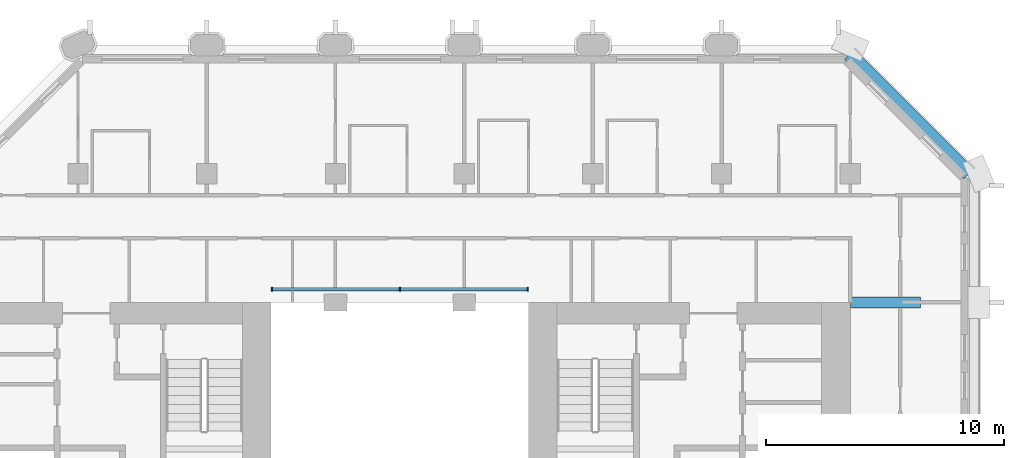
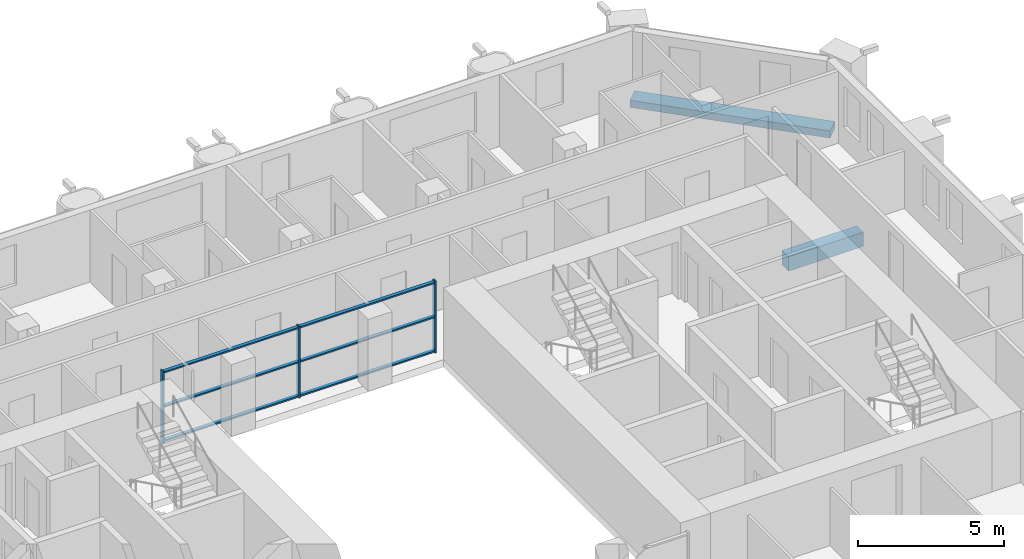
# One storey, part 4 of 13: 9 members, 2 beams, 1 element without a shape of its own.
"""IFC4 building model written with IfcOpenShell, lengths in metres."""

from ifc_helpers import new_model, si_unit, direction, frame, origin, origin_2d, place, context, subcontext, project, spatial, rectangle, extrude, material, material_profile, profile_set, type_object, element, aggregate, save


model = new_model("IFC4")

# Units and contexts
model_context = context("Model", 3, precision=1e-05, world=origin(), true_north=direction((0.0, 1.0)))
body_context = subcontext(model_context, "Body", "Model", "MODEL_VIEW")
ifc_project = project(units=[si_unit("LENGTHUNIT", "METRE"), si_unit("AREAUNIT", "SQUARE_METRE"), si_unit("VOLUMEUNIT", "CUBIC_METRE"), si_unit("PLANEANGLEUNIT", "RADIAN"), si_unit("MASSUNIT", "GRAM", prefix="KILO")], contexts=[model_context])

# Site, building, storey
site_placement = place(None, origin())
site = spatial("IfcSite", under=ifc_project, at=site_placement, CompositionType="ELEMENT")
building_placement = place(site_placement, origin())
building = spatial("IfcBuilding", under=site, at=building_placement, Name="Tabaq Tower and Sports Hall", CompositionType="ELEMENT")
storey_placement = place(building_placement, frame((0.0, 0.0, 162.699951171875)))
storey = spatial("IfcBuildingStorey", under=building, at=storey_placement, Name="L38", CompositionType="ELEMENT", Elevation=162.699951171875)

# Curtain wall, members
ifc_material_1 = material(Name="Aluminium alloy 6063-T6 framed glazing", Category="aluminium")
curtain_wall_type = type_object("IfcCurtainWallType", Name="CW1 curtain wall", PredefinedType="USERDEFINED", material=ifc_material_1)
curtain_wall_placement = place(storey_placement, origin())
curtain_wall = element("IfcCurtainWall", 1, at=curtain_wall_placement, inside=storey, type_object=curtain_wall_type, Name="Atrium glazing L38 N", ObjectType="ATRIUM ENCLOSURE", PredefinedType="USERDEFINED")
ifc_material_2 = material(Name="Aluminium alloy 6063-T6", Category="aluminium")
ifc_material_profile_1 = material_profile(ifc_material_2, rectangle(XDim=0.159912109375, YDim=0.06005859375, at=origin_2d()), Name="MULLION 160x60")
ifc_profile_set_1 = profile_set([ifc_material_profile_1], Name="Aluminium alloy 6063-T6")
member_type_1 = type_object("IfcMemberType", Name="CW1 mullion 160x60", PredefinedType="MULLION", material=ifc_profile_set_1)
member_1_placement = place(storey_placement, frame((18.929931640625, 32.949951171875, 0.0), z_axis=(0.0, 0.0, 1.0), x_axis=(0.0, 1.0, 0.0)))
member_1 = element("IfcMember", 2, at=member_1_placement, type_object=member_type_1, Name="CW1 mullion 1", PredefinedType="MULLION", context=body_context, shape_type="SweptSolid", body=[
    extrude(rectangle(XDim=0.159912109375, YDim=0.06005859375, at=origin_2d()), origin(), (0.0, 0.0, 1.0), 3.0),
])
member_2_placement = place(storey_placement, frame((24.300048828125, 32.949951171875, 0.0), z_axis=(0.0, 0.0, 1.0), x_axis=(0.0, 1.0, 0.0)))
member_2 = element("IfcMember", 3, at=member_2_placement, type_object=member_type_1, Name="CW1 mullion 2", PredefinedType="MULLION", context=body_context, shape_type="SweptSolid", body=[
    extrude(rectangle(XDim=0.159912109375, YDim=0.06005859375, at=origin_2d()), origin(), (0.0, 0.0, 1.0), 3.0),
])
member_3_placement = place(storey_placement, frame((29.669921875, 32.949951171875, 0.0), z_axis=(0.0, 0.0, 1.0), x_axis=(0.0, 1.0, 0.0)))
member_3 = element("IfcMember", 4, at=member_3_placement, type_object=member_type_1, Name="CW1 mullion 3", PredefinedType="MULLION", context=body_context, shape_type="SweptSolid", body=[
    extrude(rectangle(XDim=0.159912109375, YDim=0.06005859375, at=origin_2d()), origin(), (0.0, 0.0, 1.0), 3.0),
])
ifc_material_3 = material(Name="Aluminium alloy 6063-T6", Category="aluminium")
ifc_material_profile_2 = material_profile(ifc_material_3, rectangle(XDim=0.139892578125, YDim=0.06005859375, at=origin_2d()), Name="TRANSOM 140x60")
ifc_profile_set_2 = profile_set([ifc_material_profile_2], Name="Aluminium alloy 6063-T6")
member_type_2 = type_object("IfcMemberType", Name="CW1 transom 140x60", PredefinedType="USERDEFINED", material=ifc_profile_set_2)
member_4_placement = place(storey_placement, frame((18.9599609375, 32.949951171875, 0.070068359375), z_axis=(1.0, 0.0, 0.0), x_axis=(0.0, 1.0, 0.0)))
member_4 = element("IfcMember", 5, at=member_4_placement, type_object=member_type_2, Name="CW1 transom 1.1", ObjectType="TRANSOM", PredefinedType="USERDEFINED", context=body_context, shape_type="SweptSolid", body=[
    extrude(rectangle(XDim=0.139892578125, YDim=0.06005859375, at=origin_2d()), origin(), (0.0, 0.0, 1.0), 5.31005859375),
])
member_5_placement = place(storey_placement, frame((18.9599609375, 32.949951171875, 1.5), z_axis=(1.0, 0.0, 0.0), x_axis=(0.0, 1.0, 0.0)))
member_5 = element("IfcMember", 6, at=member_5_placement, type_object=member_type_2, Name="CW1 transom 1.2", ObjectType="TRANSOM", PredefinedType="USERDEFINED", context=body_context, shape_type="SweptSolid", body=[
    extrude(rectangle(XDim=0.139892578125, YDim=0.06005859375, at=origin_2d()), origin(), (0.0, 0.0, 1.0), 5.31005859375),
])
member_6_placement = place(storey_placement, frame((18.9599609375, 32.949951171875, 2.929931640625), z_axis=(1.0, 0.0, 0.0), x_axis=(0.0, 1.0, 0.0)))
member_6 = element("IfcMember", 7, at=member_6_placement, type_object=member_type_2, Name="CW1 transom 1.3", ObjectType="TRANSOM", PredefinedType="USERDEFINED", context=body_context, shape_type="SweptSolid", body=[
    extrude(rectangle(XDim=0.139892578125, YDim=0.06005859375, at=origin_2d()), origin(), (0.0, 0.0, 1.0), 5.31005859375),
])
member_7_placement = place(storey_placement, frame((24.330078125, 32.949951171875, 0.070068359375), z_axis=(1.0, 0.0, 0.0), x_axis=(0.0, 1.0, 0.0)))
member_7 = element("IfcMember", 8, at=member_7_placement, type_object=member_type_2, Name="CW1 transom 2.1", ObjectType="TRANSOM", PredefinedType="USERDEFINED", context=body_context, shape_type="SweptSolid", body=[
    extrude(rectangle(XDim=0.139892578125, YDim=0.06005859375, at=origin_2d()), origin(), (0.0, 0.0, 1.0), 5.309814453125),
])
member_8_placement = place(storey_placement, frame((24.330078125, 32.949951171875, 1.5), z_axis=(1.0, 0.0, 0.0), x_axis=(0.0, 1.0, 0.0)))
member_8 = element("IfcMember", 9, at=member_8_placement, type_object=member_type_2, Name="CW1 transom 2.2", ObjectType="TRANSOM", PredefinedType="USERDEFINED", context=body_context, shape_type="SweptSolid", body=[
    extrude(rectangle(XDim=0.139892578125, YDim=0.06005859375, at=origin_2d()), origin(), (0.0, 0.0, 1.0), 5.309814453125),
])
member_9_placement = place(storey_placement, frame((24.330078125, 32.949951171875, 2.929931640625), z_axis=(1.0, 0.0, 0.0), x_axis=(0.0, 1.0, 0.0)))
member_9 = element("IfcMember", 10, at=member_9_placement, type_object=member_type_2, Name="CW1 transom 2.3", ObjectType="TRANSOM", PredefinedType="USERDEFINED", context=body_context, shape_type="SweptSolid", body=[
    extrude(rectangle(XDim=0.139892578125, YDim=0.06005859375, at=origin_2d()), origin(), (0.0, 0.0, 1.0), 5.309814453125),
])
aggregate(curtain_wall, [member_1, member_2, member_3, member_4, member_5, member_6, member_7, member_8, member_9])

# Beams
ifc_material_4 = material(Name="Concrete C40/50", Category="concrete")
ifc_material_profile_3 = material_profile(ifc_material_4, rectangle(XDim=0.449951171875, YDim=0.60009765625, at=origin_2d()), Name="CB 450x600")
ifc_profile_set_3 = profile_set([ifc_material_profile_3], Name="Concrete C40/50")
beam_type_1 = type_object("IfcBeamType", Name="PT CANTILEVER BEAM CB 450x600 C40/50", PredefinedType="BEAM", material=ifc_profile_set_3)
beam_1_placement = place(storey_placement, frame((46.14990234375, 32.39990234375, -0.599853515625), z_axis=(-1.0, 0.0, 0.0), x_axis=(0.0, -1.0, 0.0)))
element("IfcBeam", 11, at=beam_1_placement, inside=storey, type_object=beam_type_1, Name="Cantilever Beam L38 E6 span 1", PredefinedType="BEAM", context=body_context, shape_type="SweptSolid", body=[
    extrude(rectangle(XDim=0.449951171875, YDim=0.60009765625, at=origin_2d()), origin(), (0.0, 0.0, 1.0), 2.949951171875),
])
ifc_material_5 = material(Name="Concrete C40/50", Category="concrete")
ifc_material_profile_4 = material_profile(ifc_material_5, rectangle(XDim=0.60009765625, YDim=0.300048828125, at=origin_2d()), Name="EB 600x300")
ifc_profile_set_4 = profile_set([ifc_material_profile_4], Name="Concrete C40/50")
beam_type_2 = type_object("IfcBeamType", Name="PT EDGE BEAM EB 600x300 C40/50", PredefinedType="SPANDREL", material=ifc_profile_set_4)
beam_2_placement = place(storey_placement, frame((48.1767578125, 37.799072265625, -0.14990234375), z_axis=(-0.707124002701, 0.707089559252, 0.0), x_axis=(-0.707089559252, -0.707124002701, 0.0)))
element("IfcBeam", 12, at=beam_2_placement, inside=storey, type_object=beam_type_2, Name="Edge Beam L38 4", PredefinedType="SPANDREL", context=body_context, shape_type="SweptSolid", body=[
    extrude(rectangle(XDim=0.60009765625, YDim=0.300048828125, at=origin_2d()), origin(), (0.0, 0.0, 1.0), 7.088134765625),
])

save(model, "model.ifc")
